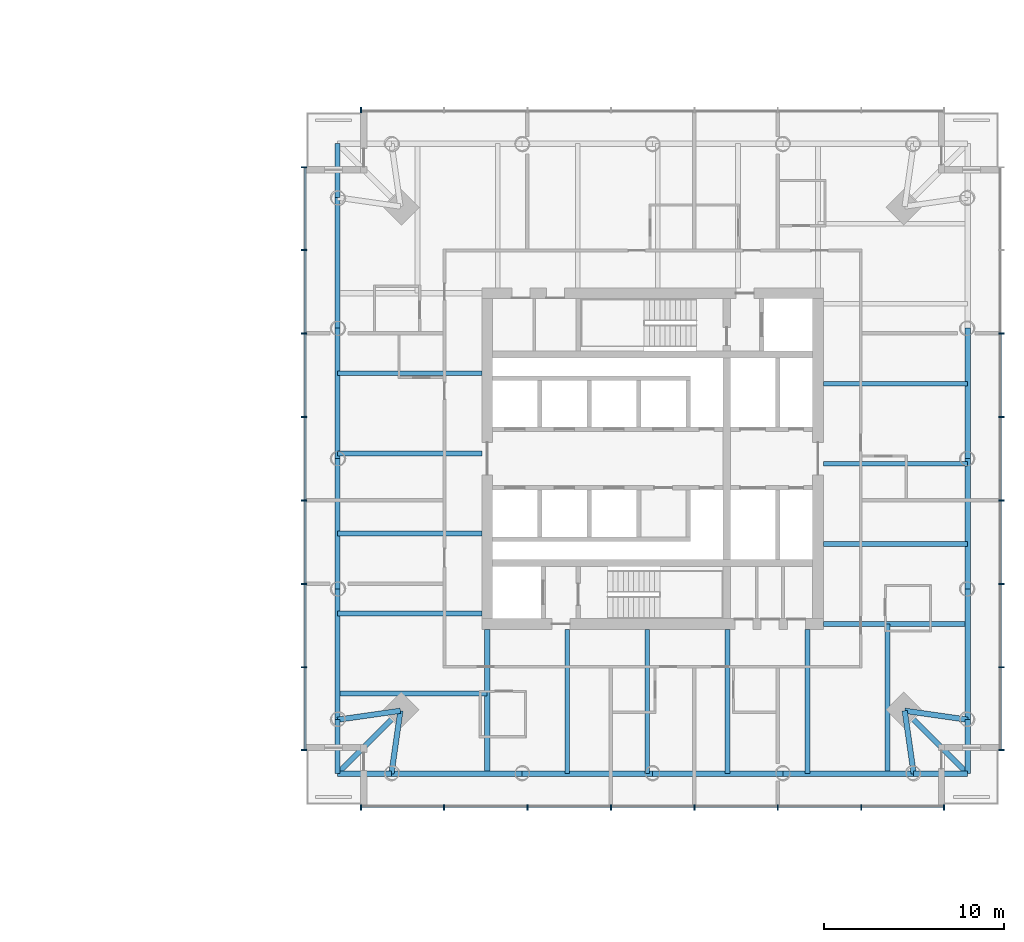
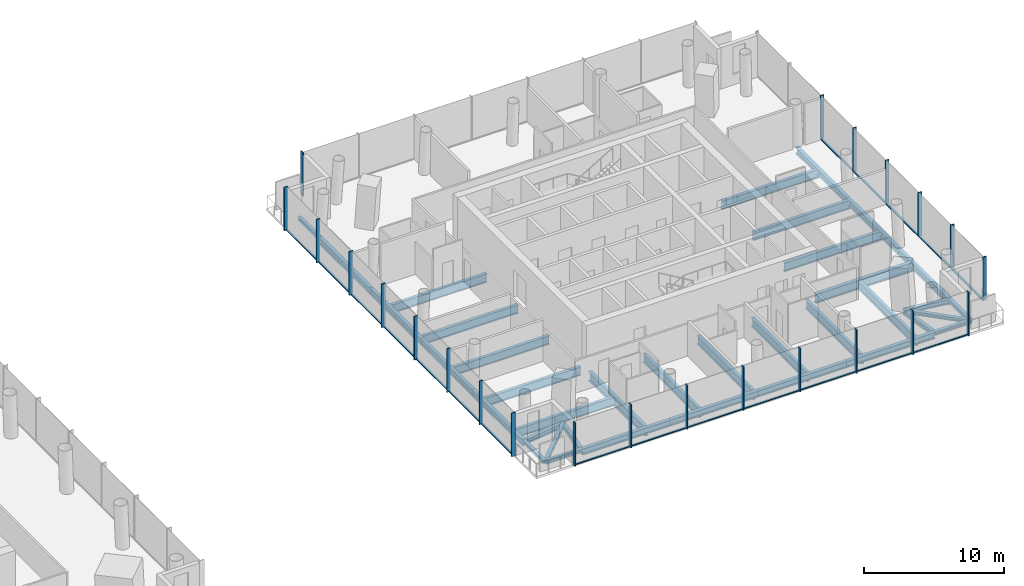
# One storey, part 4 of 18: 42 members, 37 beams, 4 elements without a shape of their own.
"""IFC4 building model written with IfcOpenShell, lengths in metres."""

from ifc_helpers import new_model, si_unit, direction, frame, origin, origin_2d, place, context, subcontext, project, spatial, rectangle, i_section, extrude, material, material_profile, profile_set, type_object, element, aggregate, save


model = new_model("IFC4")

# Units and contexts
model_context = context("Model", 3, precision=1e-05, world=origin(), true_north=direction((0.0, 1.0)))
body_context = subcontext(model_context, "Body", "Model", "MODEL_VIEW")
ifc_project = project(units=[si_unit("LENGTHUNIT", "METRE"), si_unit("AREAUNIT", "SQUARE_METRE"), si_unit("VOLUMEUNIT", "CUBIC_METRE"), si_unit("PLANEANGLEUNIT", "RADIAN"), si_unit("MASSUNIT", "GRAM", prefix="KILO")], contexts=[model_context])

# Site, building, storey
site_placement = place(None, origin())
site = spatial("IfcSite", under=ifc_project, at=site_placement, CompositionType="ELEMENT")
building_placement = place(site_placement, origin())
building = spatial("IfcBuilding", under=site, at=building_placement, Name="Ostroluk Exchange", CompositionType="ELEMENT")
storey_placement = place(building_placement, frame((0.0, 0.0, 55.199951171875)))
storey = spatial("IfcBuildingStorey", under=building, at=storey_placement, Name="L13", CompositionType="ELEMENT", Elevation=55.199951171875)

# Beams
ifc_material_1 = material(Name="Steel S355", Category="steel")
ifc_material_profile_1 = material_profile(ifc_material_1, i_section(OverallWidth=0.300048828125, OverallDepth=0.300048828125, WebThickness=0.010986328125, FlangeThickness=0.01904296875, FilletRadius=0.027099609375, at=origin_2d()), Name="HEB 300")
ifc_profile_set_1 = profile_set([ifc_material_profile_1], Name="Steel S355")
beam_type_1 = type_object("IfcBeamType", Name="Balcony beam HEB 300", PredefinedType="BEAM", material=ifc_profile_set_1)
for number, where, z_axis, x_axis, name in (
    (1, (99.47412109375, 60.52587890625, -0.349853515625), (0.0, 1.0, 0.0), (-1.0, 0.0, 0.0), "T2 north balcony beam b"),
    (2, (99.47412109375, 31.47412109375, -0.349853515625), (0.0, -1.0, 0.0), (1.0, 0.0, 0.0), "T2 west balcony beam a"),
    (3, (102.47412109375, 28.47412109375, -0.349853515625), (-1.0, 0.0, 0.0), (0.0, -1.0, 0.0), "T2 west balcony beam b"),
):
    element("IfcBeam", number, at=place(storey_placement, frame(where, z_axis=z_axis, x_axis=x_axis)), inside=storey, type_object=beam_type_1, Name=name, PredefinedType="BEAM", context=body_context, shape_type="SweptSolid", body=[
        extrude(i_section(OverallWidth=0.300048828125, OverallDepth=0.300048828125, WebThickness=0.010986328125, FlangeThickness=0.01904296875, FilletRadius=0.027099609375, at=origin_2d()), origin(), (0.0, 0.0, 1.0), 3.0),
    ])
beam_1_placement = place(storey_placement, frame((102.97412109375, 31.97412109375, -0.349853515625), z_axis=(-0.707106781187, -0.707106781187, 0.0), x_axis=(0.707106781187, -0.707106781187, 0.0)))
element("IfcBeam", 4, at=beam_1_placement, inside=storey, type_object=beam_type_1, Name="T2 west balcony beam c", PredefinedType="BEAM", context=body_context, shape_type="SweptSolid", body=[
    extrude(i_section(OverallWidth=0.300048828125, OverallDepth=0.300048828125, WebThickness=0.010986328125, FlangeThickness=0.01904296875, FilletRadius=0.027099609375, at=origin_2d()), origin(), (0.0, 0.0, 1.0), 4.94970703125),
])
for number, where, z_axis, x_axis, name in (
    (5, (131.52587890625, 28.47412109375, -0.349853515625), (1.0, 0.0, 0.0), (0.0, 1.0, 0.0), "T2 south balcony beam a"),
    (6, (134.52587890625, 31.47412109375, -0.349853515625), (0.0, -1.0, 0.0), (1.0, 0.0, 0.0), "T2 south balcony beam b"),
):
    element("IfcBeam", number, at=place(storey_placement, frame(where, z_axis=z_axis, x_axis=x_axis)), inside=storey, type_object=beam_type_1, Name=name, PredefinedType="BEAM", context=body_context, shape_type="SweptSolid", body=[
        extrude(i_section(OverallWidth=0.300048828125, OverallDepth=0.300048828125, WebThickness=0.010986328125, FlangeThickness=0.01904296875, FilletRadius=0.027099609375, at=origin_2d()), origin(), (0.0, 0.0, 1.0), 3.0),
    ])
beam_2_placement = place(storey_placement, frame((131.02587890625, 31.97412109375, -0.349853515625), z_axis=(0.707106781187, -0.707106781187, 0.0), x_axis=(0.707106781187, 0.707106781187, 0.0)))
element("IfcBeam", 7, at=beam_2_placement, inside=storey, type_object=beam_type_1, Name="T2 south balcony beam c", PredefinedType="BEAM", context=body_context, shape_type="SweptSolid", body=[
    extrude(i_section(OverallWidth=0.300048828125, OverallDepth=0.300048828125, WebThickness=0.010986328125, FlangeThickness=0.01904296875, FilletRadius=0.027099609375, at=origin_2d()), origin(), (0.0, 0.0, 1.0), 4.94970703125),
])
ifc_material_2 = material(Name="Steel S355", Category="steel")
ifc_material_profile_2 = material_profile(ifc_material_2, i_section(OverallWidth=0.300048828125, OverallDepth=0.39990234375, WebThickness=0.013427734375, FlangeThickness=0.02392578125, FilletRadius=0.027099609375, at=origin_2d()), Name="HEB 400")
ifc_profile_set_2 = profile_set([ifc_material_profile_2], Name="Steel S355")
beam_type_2 = type_object("IfcBeamType", Name="Corner edge beam HEB 400", PredefinedType="SPANDREL", material=ifc_profile_set_2)
for number, where, z_axis, x_axis, name in (
    (8, (102.97412109375, 31.97412109375, -0.39990234375), (-0.989949493661, -0.141421356237, 0.0), (0.141421356237, -0.989949493661, 0.0), "T2 west corner edge beam a"),
    (9, (102.97412109375, 31.97412109375, -0.39990234375), (-0.141421356237, -0.989949493661, 0.0), (0.989949493661, -0.141421356237, 0.0), "T2 west corner edge beam b"),
    (10, (131.02587890625, 31.97412109375, -0.39990234375), (0.141421356237, -0.989949493661, 0.0), (0.989949493661, 0.141421356237, 0.0), "T2 south corner edge beam a"),
    (11, (131.02587890625, 31.97412109375, -0.39990234375), (0.989949493661, -0.141421356237, 0.0), (0.141421356237, 0.989949493661, 0.0), "T2 south corner edge beam b"),
):
    element("IfcBeam", number, at=place(storey_placement, frame(where, z_axis=z_axis, x_axis=x_axis)), inside=storey, type_object=beam_type_2, Name=name, PredefinedType="SPANDREL", context=body_context, shape_type="SweptSolid", body=[
        extrude(i_section(OverallWidth=0.300048828125, OverallDepth=0.39990234375, WebThickness=0.013427734375, FlangeThickness=0.02392578125, FilletRadius=0.027099609375, at=origin_2d()), origin(), (0.0, 0.0, 1.0), 3.53564453125),
    ])
ifc_material_3 = material(Name="Steel S355", Category="steel")
ifc_material_profile_3 = material_profile(ifc_material_3, i_section(OverallWidth=0.264892578125, OverallDepth=0.7529296875, WebThickness=0.01318359375, FlangeThickness=0.01708984375, FilletRadius=0.01708984375, at=origin_2d()), Name="IPE 750x147")
ifc_profile_set_3 = profile_set([ifc_material_profile_3], Name="Steel S355")
beam_type_3 = type_object("IfcBeamType", Name="Floor beam IPE 750x147", PredefinedType="BEAM", material=ifc_profile_set_3)
for number, where, z_axis, x_axis, name in (
    (12, (126.5, 41.25439453125, -0.576416015625), (1.0, 0.0, 0.0), (0.0, 1.0, 0.0), "T2 east floor beam 1"),
    (13, (126.5, 45.708740234375, -0.576416015625), (1.0, 0.0, 0.0), (0.0, 1.0, 0.0), "T2 east floor beam 2"),
    (14, (126.5, 50.162841796875, -0.576416015625), (1.0, 0.0, 0.0), (0.0, 1.0, 0.0), "T2 east floor beam 3"),
    (15, (107.5, 50.74560546875, -0.576416015625), (-1.0, 0.0, 0.0), (0.0, -1.0, 0.0), "T2 west floor beam 1"),
    (16, (107.5, 46.291259765625, -0.576416015625), (-1.0, 0.0, 0.0), (0.0, -1.0, 0.0), "T2 west floor beam 2"),
    (17, (107.5, 41.837158203125, -0.576416015625), (-1.0, 0.0, 0.0), (0.0, -1.0, 0.0), "T2 west floor beam 3"),
    (18, (107.5, 37.3828125, -0.576416015625), (-1.0, 0.0, 0.0), (0.0, -1.0, 0.0), "T2 west floor beam 4"),
):
    element("IfcBeam", number, at=place(storey_placement, frame(where, z_axis=z_axis, x_axis=x_axis)), inside=storey, type_object=beam_type_3, Name=name, PredefinedType="BEAM", context=body_context, shape_type="SweptSolid", body=[
        extrude(i_section(OverallWidth=0.264892578125, OverallDepth=0.7529296875, WebThickness=0.01318359375, FlangeThickness=0.01708984375, FilletRadius=0.01708984375, at=origin_2d()), origin(), (0.0, 0.0, 1.0), 8.02587890625),
    ])
beam_3_placement = place(storey_placement, frame((107.800048828125, 32.928466796875, -0.576416015625), z_axis=(-1.0, 0.0, 0.0), x_axis=(0.0, -1.0, 0.0)))
element("IfcBeam", 19, at=beam_3_placement, inside=storey, type_object=beam_type_3, Name="T2 west floor beam 5", PredefinedType="BEAM", context=body_context, shape_type="SweptSolid", body=[
    extrude(i_section(OverallWidth=0.264892578125, OverallDepth=0.7529296875, WebThickness=0.01318359375, FlangeThickness=0.01708984375, FilletRadius=0.01708984375, at=origin_2d()), origin(), (0.0, 0.0, 1.0), 8.325927734375),
])
for number, where, z_axis, x_axis, name in (
    (20, (112.25439453125, 36.5, -0.576416015625), (0.0, -1.0, 0.0), (1.0, 0.0, 0.0), "T2 south floor beam 1"),
    (21, (116.708740234375, 36.5, -0.576416015625), (0.0, -1.0, 0.0), (1.0, 0.0, 0.0), "T2 south floor beam 2"),
    (22, (121.162841796875, 36.5, -0.576416015625), (0.0, -1.0, 0.0), (1.0, 0.0, 0.0), "T2 south floor beam 3"),
    (23, (125.6171875, 36.5, -0.576416015625), (0.0, -1.0, 0.0), (1.0, 0.0, 0.0), "T2 south floor beam 4"),
):
    element("IfcBeam", number, at=place(storey_placement, frame(where, z_axis=z_axis, x_axis=x_axis)), inside=storey, type_object=beam_type_3, Name=name, PredefinedType="BEAM", context=body_context, shape_type="SweptSolid", body=[
        extrude(i_section(OverallWidth=0.264892578125, OverallDepth=0.7529296875, WebThickness=0.01318359375, FlangeThickness=0.01708984375, FilletRadius=0.01708984375, at=origin_2d()), origin(), (0.0, 0.0, 1.0), 8.02587890625),
    ])
beam_4_placement = place(storey_placement, frame((130.071533203125, 36.800048828125, -0.576416015625), z_axis=(0.0, -1.0, 0.0), x_axis=(1.0, 0.0, 0.0)))
element("IfcBeam", 24, at=beam_4_placement, inside=storey, type_object=beam_type_3, Name="T2 south floor beam 5", PredefinedType="BEAM", context=body_context, shape_type="SweptSolid", body=[
    extrude(i_section(OverallWidth=0.264892578125, OverallDepth=0.7529296875, WebThickness=0.01318359375, FlangeThickness=0.01708984375, FilletRadius=0.01708984375, at=origin_2d()), origin(), (0.0, 0.0, 1.0), 8.325927734375),
])
ifc_material_4 = material(Name="Steel S355", Category="steel")
ifc_material_profile_4 = material_profile(ifc_material_4, i_section(OverallWidth=0.300048828125, OverallDepth=0.800048828125, WebThickness=0.017578125, FlangeThickness=0.032958984375, FilletRadius=0.030029296875, at=origin_2d()), Name="HEB 800")
ifc_profile_set_4 = profile_set([ifc_material_profile_4], Name="Steel S355")
beam_type_4 = type_object("IfcBeamType", Name="Girder HEB 800", PredefinedType="BEAM", material=ifc_profile_set_4)
for number, where, z_axis, x_axis, name in (
    (25, (107.800048828125, 36.5, -0.599853515625), (0.0, -1.0, 0.0), (1.0, 0.0, 0.0), "T2 west girder"),
    (26, (126.5, 36.800048828125, -0.599853515625), (1.0, 0.0, 0.0), (0.0, 1.0, 0.0), "T2 south girder"),
):
    element("IfcBeam", number, at=place(storey_placement, frame(where, z_axis=z_axis, x_axis=x_axis)), inside=storey, type_object=beam_type_4, Name=name, PredefinedType="BEAM", context=body_context, shape_type="SweptSolid", body=[
        extrude(i_section(OverallWidth=0.300048828125, OverallDepth=0.800048828125, WebThickness=0.017578125, FlangeThickness=0.032958984375, FilletRadius=0.030029296875, at=origin_2d()), origin(), (0.0, 0.0, 1.0), 8.02587890625),
    ])
ifc_material_5 = material(Name="Steel S355", Category="steel")
ifc_material_profile_5 = material_profile(ifc_material_5, i_section(OverallWidth=0.300048828125, OverallDepth=0.550048828125, WebThickness=0.014892578125, FlangeThickness=0.029052734375, FilletRadius=0.027099609375, at=origin_2d()), Name="HEB 550")
ifc_profile_set_5 = profile_set([ifc_material_profile_5], Name="Steel S355")
beam_type_5 = type_object("IfcBeamType", Name="Moment-connected edge beam HEB 550", PredefinedType="SPANDREL", material=ifc_profile_set_5)
for number, where, z_axis, x_axis, name in (
    (27, (134.52587890625, 31.47412109375, -0.474853515625), (0.0, 1.0, 0.0), (-1.0, 0.0, 0.0), "T2 east edge beam 1"),
    (28, (134.52587890625, 38.737060546875, -0.474853515625), (0.0, 1.0, 0.0), (-1.0, 0.0, 0.0), "T2 east edge beam 2"),
    (29, (134.52587890625, 46.0, -0.474853515625), (0.0, 1.0, 0.0), (-1.0, 0.0, 0.0), "T2 east edge beam 3"),
    (30, (99.47412109375, 60.52587890625, -0.474853515625), (0.0, -1.0, 0.0), (1.0, 0.0, 0.0), "T2 west edge beam 1"),
    (31, (99.47412109375, 53.262939453125, -0.474853515625), (0.0, -1.0, 0.0), (1.0, 0.0, 0.0), "T2 west edge beam 2"),
    (32, (99.47412109375, 46.0, -0.474853515625), (0.0, -1.0, 0.0), (1.0, 0.0, 0.0), "T2 west edge beam 3"),
    (33, (99.47412109375, 38.737060546875, -0.474853515625), (0.0, -1.0, 0.0), (1.0, 0.0, 0.0), "T2 west edge beam 4"),
    (34, (102.47412109375, 28.47412109375, -0.474853515625), (1.0, 0.0, 0.0), (0.0, 1.0, 0.0), "T2 south edge beam 1"),
    (35, (109.737060546875, 28.47412109375, -0.474853515625), (1.0, 0.0, 0.0), (0.0, 1.0, 0.0), "T2 south edge beam 2"),
    (36, (117.0, 28.47412109375, -0.474853515625), (1.0, 0.0, 0.0), (0.0, 1.0, 0.0), "T2 south edge beam 3"),
    (37, (124.262939453125, 28.47412109375, -0.474853515625), (1.0, 0.0, 0.0), (0.0, 1.0, 0.0), "T2 south edge beam 4"),
):
    element("IfcBeam", number, at=place(storey_placement, frame(where, z_axis=z_axis, x_axis=x_axis)), inside=storey, type_object=beam_type_5, Name=name, PredefinedType="SPANDREL", context=body_context, shape_type="SweptSolid", body=[
        extrude(i_section(OverallWidth=0.300048828125, OverallDepth=0.550048828125, WebThickness=0.014892578125, FlangeThickness=0.029052734375, FilletRadius=0.027099609375, at=origin_2d()), origin(), (0.0, 0.0, 1.0), 7.262939453125),
    ])

# Curtain wall, members
ifc_material_6 = material(Name="Laminated clear glass", Category="glass")
curtain_wall_type = type_object("IfcCurtainWallType", Name="Hotel guest floor facade", PredefinedType="USERDEFINED", material=ifc_material_6)
curtain_wall_1_placement = place(storey_placement, origin())
curtain_wall_1 = element("IfcCurtainWall", 38, at=curtain_wall_1_placement, inside=storey, type_object=curtain_wall_type, Name="Hotel tower south facade L13", ObjectType="UNITISED CURTAIN WALL", PredefinedType="USERDEFINED")
ifc_material_7 = material(Name="Aluminium mullion", Category="aluminium")
ifc_material_profile_6 = material_profile(ifc_material_7, rectangle(XDim=0.14990234375, YDim=0.080078125, at=origin_2d()), Name="Sill transom 80 x 150")
ifc_profile_set_6 = profile_set([ifc_material_profile_6], Name="Aluminium mullion")
member_type_1 = type_object("IfcMemberType", Name="Sill transom 80 x 150", PredefinedType="USERDEFINED", material=ifc_profile_set_6)
member_1_placement = place(storey_placement, frame((100.830078125, 26.675048828125, 0.0400390625), z_axis=(1.0, 0.0, 0.0), x_axis=(0.0, 1.0, 0.0)))
member_1 = element("IfcMember", 39, at=member_1_placement, type_object=member_type_1, Name="CW-H1 transom 1.1", ObjectType="TRANSOM", PredefinedType="USERDEFINED", context=body_context, shape_type="SweptSolid", body=[
    extrude(rectangle(XDim=0.14990234375, YDim=0.080078125, at=origin_2d()), origin(), (0.0, 0.0, 1.0), 4.522705078125),
])
member_2_placement = place(storey_placement, frame((105.432861328125, 26.675048828125, 0.0400390625), z_axis=(1.0, 0.0, 0.0), x_axis=(0.0, 1.0, 0.0)))
member_2 = element("IfcMember", 40, at=member_2_placement, type_object=member_type_1, Name="CW-H1 transom 2.1", ObjectType="TRANSOM", PredefinedType="USERDEFINED", context=body_context, shape_type="SweptSolid", body=[
    extrude(rectangle(XDim=0.14990234375, YDim=0.080078125, at=origin_2d()), origin(), (0.0, 0.0, 1.0), 4.562744140625),
])
member_3_placement = place(storey_placement, frame((110.07568359375, 26.675048828125, 0.0400390625), z_axis=(1.0, 0.0, 0.0), x_axis=(0.0, 1.0, 0.0)))
member_3 = element("IfcMember", 41, at=member_3_placement, type_object=member_type_1, Name="CW-H1 transom 3.1", ObjectType="TRANSOM", PredefinedType="USERDEFINED", context=body_context, shape_type="SweptSolid", body=[
    extrude(rectangle(XDim=0.14990234375, YDim=0.080078125, at=origin_2d()), origin(), (0.0, 0.0, 1.0), 4.56298828125),
])
member_4_placement = place(storey_placement, frame((114.718505859375, 26.675048828125, 0.0400390625), z_axis=(1.0, 0.0, 0.0), x_axis=(0.0, 1.0, 0.0)))
member_4 = element("IfcMember", 42, at=member_4_placement, type_object=member_type_1, Name="CW-H1 transom 4.1", ObjectType="TRANSOM", PredefinedType="USERDEFINED", context=body_context, shape_type="SweptSolid", body=[
    extrude(rectangle(XDim=0.14990234375, YDim=0.080078125, at=origin_2d()), origin(), (0.0, 0.0, 1.0), 4.56298828125),
])
member_5_placement = place(storey_placement, frame((119.361328125, 26.675048828125, 0.0400390625), z_axis=(1.0, 0.0, 0.0), x_axis=(0.0, 1.0, 0.0)))
member_5 = element("IfcMember", 43, at=member_5_placement, type_object=member_type_1, Name="CW-H1 transom 5.1", ObjectType="TRANSOM", PredefinedType="USERDEFINED", context=body_context, shape_type="SweptSolid", body=[
    extrude(rectangle(XDim=0.14990234375, YDim=0.080078125, at=origin_2d()), origin(), (0.0, 0.0, 1.0), 4.56298828125),
])
member_6_placement = place(storey_placement, frame((124.00439453125, 26.675048828125, 0.0400390625), z_axis=(1.0, 0.0, 0.0), x_axis=(0.0, 1.0, 0.0)))
member_6 = element("IfcMember", 44, at=member_6_placement, type_object=member_type_1, Name="CW-H1 transom 6.1", ObjectType="TRANSOM", PredefinedType="USERDEFINED", context=body_context, shape_type="SweptSolid", body=[
    extrude(rectangle(XDim=0.14990234375, YDim=0.080078125, at=origin_2d()), origin(), (0.0, 0.0, 1.0), 4.562744140625),
])
member_7_placement = place(storey_placement, frame((128.647216796875, 26.675048828125, 0.0400390625), z_axis=(1.0, 0.0, 0.0), x_axis=(0.0, 1.0, 0.0)))
member_7 = element("IfcMember", 45, at=member_7_placement, type_object=member_type_1, Name="CW-H1 transom 7.1", ObjectType="TRANSOM", PredefinedType="USERDEFINED", context=body_context, shape_type="SweptSolid", body=[
    extrude(rectangle(XDim=0.14990234375, YDim=0.080078125, at=origin_2d()), origin(), (0.0, 0.0, 1.0), 4.522705078125),
])

curtain_wall_2_placement = place(storey_placement, origin())
curtain_wall_2 = element("IfcCurtainWall", 46, at=curtain_wall_2_placement, inside=storey, type_object=curtain_wall_type, Name="Hotel tower east facade L13", ObjectType="UNITISED CURTAIN WALL", PredefinedType="USERDEFINED")
member_8_placement = place(storey_placement, frame((136.324951171875, 29.830078125, 0.0400390625), z_axis=(0.0, 1.0, 0.0), x_axis=(-1.0, 0.0, 0.0)))
member_8 = element("IfcMember", 47, at=member_8_placement, type_object=member_type_1, Name="CW-H1 transom 1.1", ObjectType="TRANSOM", PredefinedType="USERDEFINED", context=body_context, shape_type="SweptSolid", body=[
    extrude(rectangle(XDim=0.14990234375, YDim=0.080078125, at=origin_2d()), origin(), (0.0, 0.0, 1.0), 4.522705078125),
])
member_9_placement = place(storey_placement, frame((136.324951171875, 34.432861328125, 0.0400390625), z_axis=(0.0, 1.0, 0.0), x_axis=(-1.0, 0.0, 0.0)))
member_9 = element("IfcMember", 48, at=member_9_placement, type_object=member_type_1, Name="CW-H1 transom 2.1", ObjectType="TRANSOM", PredefinedType="USERDEFINED", context=body_context, shape_type="SweptSolid", body=[
    extrude(rectangle(XDim=0.14990234375, YDim=0.080078125, at=origin_2d()), origin(), (0.0, 0.0, 1.0), 4.562744140625),
])
member_10_placement = place(storey_placement, frame((136.324951171875, 39.07568359375, 0.0400390625), z_axis=(0.0, 1.0, 0.0), x_axis=(-1.0, 0.0, 0.0)))
member_10 = element("IfcMember", 49, at=member_10_placement, type_object=member_type_1, Name="CW-H1 transom 3.1", ObjectType="TRANSOM", PredefinedType="USERDEFINED", context=body_context, shape_type="SweptSolid", body=[
    extrude(rectangle(XDim=0.14990234375, YDim=0.080078125, at=origin_2d()), origin(), (0.0, 0.0, 1.0), 4.56298828125),
])
member_11_placement = place(storey_placement, frame((136.324951171875, 43.718505859375, 0.0400390625), z_axis=(0.0, 1.0, 0.0), x_axis=(-1.0, 0.0, 0.0)))
member_11 = element("IfcMember", 50, at=member_11_placement, type_object=member_type_1, Name="CW-H1 transom 4.1", ObjectType="TRANSOM", PredefinedType="USERDEFINED", context=body_context, shape_type="SweptSolid", body=[
    extrude(rectangle(XDim=0.14990234375, YDim=0.080078125, at=origin_2d()), origin(), (0.0, 0.0, 1.0), 4.56298828125),
])
member_12_placement = place(storey_placement, frame((136.324951171875, 48.361328125, 0.0400390625), z_axis=(0.0, 1.0, 0.0), x_axis=(-1.0, 0.0, 0.0)))
member_12 = element("IfcMember", 51, at=member_12_placement, type_object=member_type_1, Name="CW-H1 transom 5.1", ObjectType="TRANSOM", PredefinedType="USERDEFINED", context=body_context, shape_type="SweptSolid", body=[
    extrude(rectangle(XDim=0.14990234375, YDim=0.080078125, at=origin_2d()), origin(), (0.0, 0.0, 1.0), 4.56298828125),
])

curtain_wall_3_placement = place(storey_placement, origin())
curtain_wall_3 = element("IfcCurtainWall", 52, at=curtain_wall_3_placement, inside=storey, type_object=curtain_wall_type, Name="Hotel tower west facade L13", ObjectType="UNITISED CURTAIN WALL", PredefinedType="USERDEFINED")
member_13_placement = place(storey_placement, frame((97.675048828125, 62.169921875, 0.0400390625), z_axis=(0.0, -1.0, 0.0), x_axis=(1.0, 0.0, 0.0)))
member_13 = element("IfcMember", 53, at=member_13_placement, type_object=member_type_1, Name="CW-H1 transom 1.1", ObjectType="TRANSOM", PredefinedType="USERDEFINED", context=body_context, shape_type="SweptSolid", body=[
    extrude(rectangle(XDim=0.14990234375, YDim=0.080078125, at=origin_2d()), origin(), (0.0, 0.0, 1.0), 4.522705078125),
])
member_14_placement = place(storey_placement, frame((97.675048828125, 57.567138671875, 0.0400390625), z_axis=(0.0, -1.0, 0.0), x_axis=(1.0, 0.0, 0.0)))
member_14 = element("IfcMember", 54, at=member_14_placement, type_object=member_type_1, Name="CW-H1 transom 2.1", ObjectType="TRANSOM", PredefinedType="USERDEFINED", context=body_context, shape_type="SweptSolid", body=[
    extrude(rectangle(XDim=0.14990234375, YDim=0.080078125, at=origin_2d()), origin(), (0.0, 0.0, 1.0), 4.562744140625),
])
member_15_placement = place(storey_placement, frame((97.675048828125, 52.92431640625, 0.0400390625), z_axis=(0.0, -1.0, 0.0), x_axis=(1.0, 0.0, 0.0)))
member_15 = element("IfcMember", 55, at=member_15_placement, type_object=member_type_1, Name="CW-H1 transom 3.1", ObjectType="TRANSOM", PredefinedType="USERDEFINED", context=body_context, shape_type="SweptSolid", body=[
    extrude(rectangle(XDim=0.14990234375, YDim=0.080078125, at=origin_2d()), origin(), (0.0, 0.0, 1.0), 4.56298828125),
])
member_16_placement = place(storey_placement, frame((97.675048828125, 48.281494140625, 0.0400390625), z_axis=(0.0, -1.0, 0.0), x_axis=(1.0, 0.0, 0.0)))
member_16 = element("IfcMember", 56, at=member_16_placement, type_object=member_type_1, Name="CW-H1 transom 4.1", ObjectType="TRANSOM", PredefinedType="USERDEFINED", context=body_context, shape_type="SweptSolid", body=[
    extrude(rectangle(XDim=0.14990234375, YDim=0.080078125, at=origin_2d()), origin(), (0.0, 0.0, 1.0), 4.56298828125),
])
member_17_placement = place(storey_placement, frame((97.675048828125, 43.638671875, 0.0400390625), z_axis=(0.0, -1.0, 0.0), x_axis=(1.0, 0.0, 0.0)))
member_17 = element("IfcMember", 57, at=member_17_placement, type_object=member_type_1, Name="CW-H1 transom 5.1", ObjectType="TRANSOM", PredefinedType="USERDEFINED", context=body_context, shape_type="SweptSolid", body=[
    extrude(rectangle(XDim=0.14990234375, YDim=0.080078125, at=origin_2d()), origin(), (0.0, 0.0, 1.0), 4.56298828125),
])
member_18_placement = place(storey_placement, frame((97.675048828125, 38.99560546875, 0.0400390625), z_axis=(0.0, -1.0, 0.0), x_axis=(1.0, 0.0, 0.0)))
member_18 = element("IfcMember", 58, at=member_18_placement, type_object=member_type_1, Name="CW-H1 transom 6.1", ObjectType="TRANSOM", PredefinedType="USERDEFINED", context=body_context, shape_type="SweptSolid", body=[
    extrude(rectangle(XDim=0.14990234375, YDim=0.080078125, at=origin_2d()), origin(), (0.0, 0.0, 1.0), 4.562744140625),
])
member_19_placement = place(storey_placement, frame((97.675048828125, 34.352783203125, 0.0400390625), z_axis=(0.0, -1.0, 0.0), x_axis=(1.0, 0.0, 0.0)))
member_19 = element("IfcMember", 59, at=member_19_placement, type_object=member_type_1, Name="CW-H1 transom 7.1", ObjectType="TRANSOM", PredefinedType="USERDEFINED", context=body_context, shape_type="SweptSolid", body=[
    extrude(rectangle(XDim=0.14990234375, YDim=0.080078125, at=origin_2d()), origin(), (0.0, 0.0, 1.0), 4.522705078125),
])

# Member
ifc_material_8 = material(Name="Aluminium mullion with limestone facing", Category="masonry")
ifc_material_profile_7 = material_profile(ifc_material_8, rectangle(XDim=0.300048828125, YDim=0.080078125, at=origin_2d()), Name="Tracery mullion 80 x 300")
ifc_profile_set_7 = profile_set([ifc_material_profile_7], Name="Aluminium mullion with limestone facing")
member_type_2 = type_object("IfcMemberType", Name="Tracery mullion 80 x 300", PredefinedType="MULLION", material=ifc_profile_set_7)
member_20_placement = place(storey_placement, frame((100.7900390625, 26.60009765625, 0.0), z_axis=(0.0, 0.0, 1.0), x_axis=(0.0, 1.0, 0.0)))
member_20 = element("IfcMember", 60, at=member_20_placement, type_object=member_type_2, Name="CW-H1 mullion 1", PredefinedType="MULLION", context=body_context, shape_type="SweptSolid", body=[
    extrude(rectangle(XDim=0.300048828125, YDim=0.080078125, at=origin_2d()), origin(), (0.0, 0.0, 1.0), 3.800048828125),
])

member_21_placement = place(storey_placement, frame((105.392822265625, 26.60009765625, 0.0), z_axis=(0.0, 0.0, 1.0), x_axis=(0.0, 1.0, 0.0)))
member_21 = element("IfcMember", 61, at=member_21_placement, type_object=member_type_2, Name="CW-H1 mullion 2", PredefinedType="MULLION", context=body_context, shape_type="SweptSolid", body=[
    extrude(rectangle(XDim=0.300048828125, YDim=0.080078125, at=origin_2d()), origin(), (0.0, 0.0, 1.0), 3.800048828125),
])

member_22_placement = place(storey_placement, frame((110.03564453125, 26.60009765625, 0.0), z_axis=(0.0, 0.0, 1.0), x_axis=(0.0, 1.0, 0.0)))
member_22 = element("IfcMember", 62, at=member_22_placement, type_object=member_type_2, Name="CW-H1 mullion 3", PredefinedType="MULLION", context=body_context, shape_type="SweptSolid", body=[
    extrude(rectangle(XDim=0.300048828125, YDim=0.080078125, at=origin_2d()), origin(), (0.0, 0.0, 1.0), 3.800048828125),
])

member_23_placement = place(storey_placement, frame((114.678466796875, 26.60009765625, 0.0), z_axis=(0.0, 0.0, 1.0), x_axis=(0.0, 1.0, 0.0)))
member_23 = element("IfcMember", 63, at=member_23_placement, type_object=member_type_2, Name="CW-H1 mullion 4", PredefinedType="MULLION", context=body_context, shape_type="SweptSolid", body=[
    extrude(rectangle(XDim=0.300048828125, YDim=0.080078125, at=origin_2d()), origin(), (0.0, 0.0, 1.0), 3.800048828125),
])

member_24_placement = place(storey_placement, frame((119.321533203125, 26.60009765625, 0.0), z_axis=(0.0, 0.0, 1.0), x_axis=(0.0, 1.0, 0.0)))
member_24 = element("IfcMember", 64, at=member_24_placement, type_object=member_type_2, Name="CW-H1 mullion 5", PredefinedType="MULLION", context=body_context, shape_type="SweptSolid", body=[
    extrude(rectangle(XDim=0.300048828125, YDim=0.080078125, at=origin_2d()), origin(), (0.0, 0.0, 1.0), 3.800048828125),
])

member_25_placement = place(storey_placement, frame((123.96435546875, 26.60009765625, 0.0), z_axis=(0.0, 0.0, 1.0), x_axis=(0.0, 1.0, 0.0)))
member_25 = element("IfcMember", 65, at=member_25_placement, type_object=member_type_2, Name="CW-H1 mullion 6", PredefinedType="MULLION", context=body_context, shape_type="SweptSolid", body=[
    extrude(rectangle(XDim=0.300048828125, YDim=0.080078125, at=origin_2d()), origin(), (0.0, 0.0, 1.0), 3.800048828125),
])

member_26_placement = place(storey_placement, frame((128.607177734375, 26.60009765625, 0.0), z_axis=(0.0, 0.0, 1.0), x_axis=(0.0, 1.0, 0.0)))
member_26 = element("IfcMember", 66, at=member_26_placement, type_object=member_type_2, Name="CW-H1 mullion 7", PredefinedType="MULLION", context=body_context, shape_type="SweptSolid", body=[
    extrude(rectangle(XDim=0.300048828125, YDim=0.080078125, at=origin_2d()), origin(), (0.0, 0.0, 1.0), 3.800048828125),
])

member_27_placement = place(storey_placement, frame((133.2099609375, 26.60009765625, 0.0), z_axis=(0.0, 0.0, 1.0), x_axis=(0.0, 1.0, 0.0)))
member_27 = element("IfcMember", 67, at=member_27_placement, type_object=member_type_2, Name="CW-H1 mullion 8", PredefinedType="MULLION", context=body_context, shape_type="SweptSolid", body=[
    extrude(rectangle(XDim=0.300048828125, YDim=0.080078125, at=origin_2d()), origin(), (0.0, 0.0, 1.0), 3.800048828125),
])

aggregate(curtain_wall_1, [member_20, member_21, member_22, member_23, member_24, member_25, member_26, member_27, member_1, member_2, member_3, member_4, member_5, member_6, member_7])

member_28_placement = place(storey_placement, frame((136.39990234375, 29.7900390625, 0.0), z_axis=(0.0, 0.0, 1.0), x_axis=(-1.0, 0.0, 0.0)))
member_28 = element("IfcMember", 68, at=member_28_placement, type_object=member_type_2, Name="CW-H1 mullion 1", PredefinedType="MULLION", context=body_context, shape_type="SweptSolid", body=[
    extrude(rectangle(XDim=0.300048828125, YDim=0.080078125, at=origin_2d()), origin(), (0.0, 0.0, 1.0), 3.800048828125),
])

member_29_placement = place(storey_placement, frame((136.39990234375, 34.392822265625, 0.0), z_axis=(0.0, 0.0, 1.0), x_axis=(-1.0, 0.0, 0.0)))
member_29 = element("IfcMember", 69, at=member_29_placement, type_object=member_type_2, Name="CW-H1 mullion 2", PredefinedType="MULLION", context=body_context, shape_type="SweptSolid", body=[
    extrude(rectangle(XDim=0.300048828125, YDim=0.080078125, at=origin_2d()), origin(), (0.0, 0.0, 1.0), 3.800048828125),
])

member_30_placement = place(storey_placement, frame((136.39990234375, 39.03564453125, 0.0), z_axis=(0.0, 0.0, 1.0), x_axis=(-1.0, 0.0, 0.0)))
member_30 = element("IfcMember", 70, at=member_30_placement, type_object=member_type_2, Name="CW-H1 mullion 3", PredefinedType="MULLION", context=body_context, shape_type="SweptSolid", body=[
    extrude(rectangle(XDim=0.300048828125, YDim=0.080078125, at=origin_2d()), origin(), (0.0, 0.0, 1.0), 3.800048828125),
])

member_31_placement = place(storey_placement, frame((136.39990234375, 43.678466796875, 0.0), z_axis=(0.0, 0.0, 1.0), x_axis=(-1.0, 0.0, 0.0)))
member_31 = element("IfcMember", 71, at=member_31_placement, type_object=member_type_2, Name="CW-H1 mullion 4", PredefinedType="MULLION", context=body_context, shape_type="SweptSolid", body=[
    extrude(rectangle(XDim=0.300048828125, YDim=0.080078125, at=origin_2d()), origin(), (0.0, 0.0, 1.0), 3.800048828125),
])

member_32_placement = place(storey_placement, frame((136.39990234375, 48.321533203125, 0.0), z_axis=(0.0, 0.0, 1.0), x_axis=(-1.0, 0.0, 0.0)))
member_32 = element("IfcMember", 72, at=member_32_placement, type_object=member_type_2, Name="CW-H1 mullion 5", PredefinedType="MULLION", context=body_context, shape_type="SweptSolid", body=[
    extrude(rectangle(XDim=0.300048828125, YDim=0.080078125, at=origin_2d()), origin(), (0.0, 0.0, 1.0), 3.800048828125),
])

member_33_placement = place(storey_placement, frame((136.39990234375, 52.96435546875, 0.0), z_axis=(0.0, 0.0, 1.0), x_axis=(-1.0, 0.0, 0.0)))
member_33 = element("IfcMember", 73, at=member_33_placement, type_object=member_type_2, Name="CW-H1 mullion 6", PredefinedType="MULLION", context=body_context, shape_type="SweptSolid", body=[
    extrude(rectangle(XDim=0.300048828125, YDim=0.080078125, at=origin_2d()), origin(), (0.0, 0.0, 1.0), 3.800048828125),
])

aggregate(curtain_wall_2, [member_28, member_29, member_30, member_31, member_32, member_33, member_8, member_9, member_10, member_11, member_12])

# Curtain wall, member
curtain_wall_4_placement = place(storey_placement, origin())
curtain_wall_4 = element("IfcCurtainWall", 74, at=curtain_wall_4_placement, inside=storey, type_object=curtain_wall_type, Name="Hotel tower north facade L13", ObjectType="UNITISED CURTAIN WALL", PredefinedType="USERDEFINED")
member_34_placement = place(storey_placement, frame((100.7900390625, 65.39990234375, 0.0), z_axis=(0.0, 0.0, 1.0), x_axis=(0.0, -1.0, 0.0)))
member_34 = element("IfcMember", 75, at=member_34_placement, type_object=member_type_2, Name="CW-H1 mullion 8", PredefinedType="MULLION", context=body_context, shape_type="SweptSolid", body=[
    extrude(rectangle(XDim=0.300048828125, YDim=0.080078125, at=origin_2d()), origin(), (0.0, 0.0, 1.0), 3.800048828125),
])
aggregate(curtain_wall_4, [member_34])

# Member
member_35_placement = place(storey_placement, frame((97.60009765625, 62.2099609375, 0.0), z_axis=(0.0, 0.0, 1.0), x_axis=(1.0, 0.0, 0.0)))
member_35 = element("IfcMember", 76, at=member_35_placement, type_object=member_type_2, Name="CW-H1 mullion 1", PredefinedType="MULLION", context=body_context, shape_type="SweptSolid", body=[
    extrude(rectangle(XDim=0.300048828125, YDim=0.080078125, at=origin_2d()), origin(), (0.0, 0.0, 1.0), 3.800048828125),
])

member_36_placement = place(storey_placement, frame((97.60009765625, 57.607177734375, 0.0), z_axis=(0.0, 0.0, 1.0), x_axis=(1.0, 0.0, 0.0)))
member_36 = element("IfcMember", 77, at=member_36_placement, type_object=member_type_2, Name="CW-H1 mullion 2", PredefinedType="MULLION", context=body_context, shape_type="SweptSolid", body=[
    extrude(rectangle(XDim=0.300048828125, YDim=0.080078125, at=origin_2d()), origin(), (0.0, 0.0, 1.0), 3.800048828125),
])

member_37_placement = place(storey_placement, frame((97.60009765625, 52.96435546875, 0.0), z_axis=(0.0, 0.0, 1.0), x_axis=(1.0, 0.0, 0.0)))
member_37 = element("IfcMember", 78, at=member_37_placement, type_object=member_type_2, Name="CW-H1 mullion 3", PredefinedType="MULLION", context=body_context, shape_type="SweptSolid", body=[
    extrude(rectangle(XDim=0.300048828125, YDim=0.080078125, at=origin_2d()), origin(), (0.0, 0.0, 1.0), 3.800048828125),
])

member_38_placement = place(storey_placement, frame((97.60009765625, 48.321533203125, 0.0), z_axis=(0.0, 0.0, 1.0), x_axis=(1.0, 0.0, 0.0)))
member_38 = element("IfcMember", 79, at=member_38_placement, type_object=member_type_2, Name="CW-H1 mullion 4", PredefinedType="MULLION", context=body_context, shape_type="SweptSolid", body=[
    extrude(rectangle(XDim=0.300048828125, YDim=0.080078125, at=origin_2d()), origin(), (0.0, 0.0, 1.0), 3.800048828125),
])

member_39_placement = place(storey_placement, frame((97.60009765625, 43.678466796875, 0.0), z_axis=(0.0, 0.0, 1.0), x_axis=(1.0, 0.0, 0.0)))
member_39 = element("IfcMember", 80, at=member_39_placement, type_object=member_type_2, Name="CW-H1 mullion 5", PredefinedType="MULLION", context=body_context, shape_type="SweptSolid", body=[
    extrude(rectangle(XDim=0.300048828125, YDim=0.080078125, at=origin_2d()), origin(), (0.0, 0.0, 1.0), 3.800048828125),
])

member_40_placement = place(storey_placement, frame((97.60009765625, 39.03564453125, 0.0), z_axis=(0.0, 0.0, 1.0), x_axis=(1.0, 0.0, 0.0)))
member_40 = element("IfcMember", 81, at=member_40_placement, type_object=member_type_2, Name="CW-H1 mullion 6", PredefinedType="MULLION", context=body_context, shape_type="SweptSolid", body=[
    extrude(rectangle(XDim=0.300048828125, YDim=0.080078125, at=origin_2d()), origin(), (0.0, 0.0, 1.0), 3.800048828125),
])

member_41_placement = place(storey_placement, frame((97.60009765625, 34.392822265625, 0.0), z_axis=(0.0, 0.0, 1.0), x_axis=(1.0, 0.0, 0.0)))
member_41 = element("IfcMember", 82, at=member_41_placement, type_object=member_type_2, Name="CW-H1 mullion 7", PredefinedType="MULLION", context=body_context, shape_type="SweptSolid", body=[
    extrude(rectangle(XDim=0.300048828125, YDim=0.080078125, at=origin_2d()), origin(), (0.0, 0.0, 1.0), 3.800048828125),
])

member_42_placement = place(storey_placement, frame((97.60009765625, 29.7900390625, 0.0), z_axis=(0.0, 0.0, 1.0), x_axis=(1.0, 0.0, 0.0)))
member_42 = element("IfcMember", 83, at=member_42_placement, type_object=member_type_2, Name="CW-H1 mullion 8", PredefinedType="MULLION", context=body_context, shape_type="SweptSolid", body=[
    extrude(rectangle(XDim=0.300048828125, YDim=0.080078125, at=origin_2d()), origin(), (0.0, 0.0, 1.0), 3.800048828125),
])

aggregate(curtain_wall_3, [member_35, member_36, member_37, member_38, member_39, member_40, member_41, member_42, member_13, member_14, member_15, member_16, member_17, member_18, member_19])

save(model, "model.ifc")
